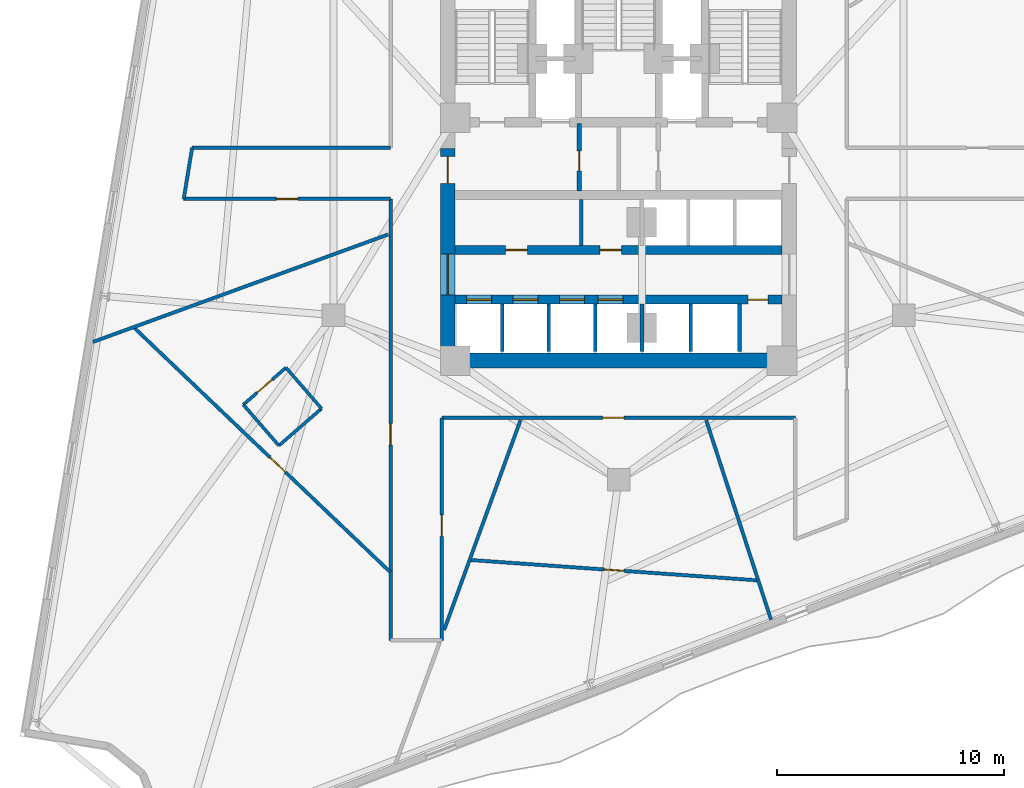
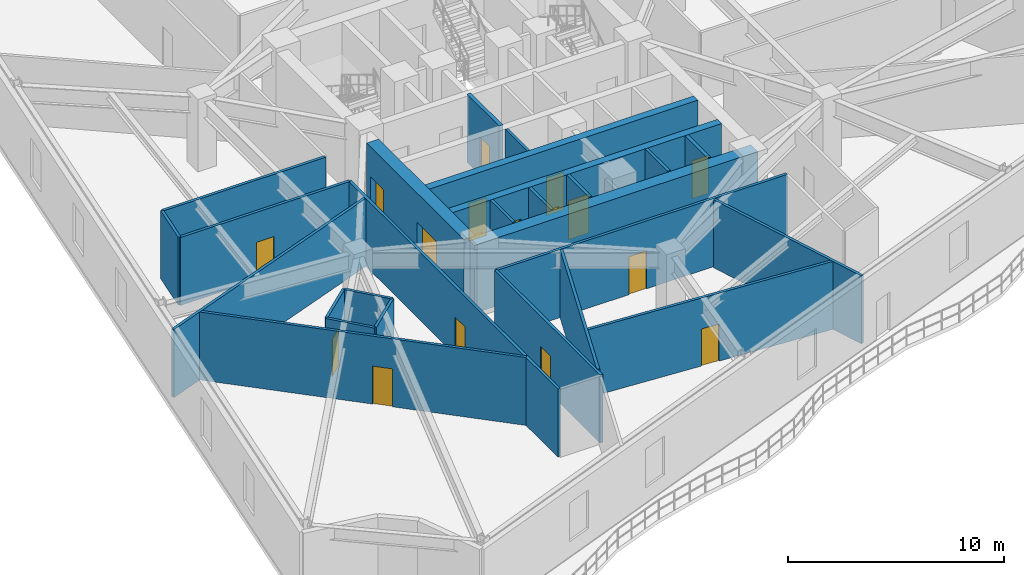
# One storey, part 4 of 10: 27 walls, 17 doors, 17 openings.
"""IFC4 building model written with IfcOpenShell, lengths in metres."""

import ifcopenshell
import ifcopenshell.guid

model = None  # the IFC model being written
_history = None  # IfcOwnerHistory: only IFC2X3 demands one
_inside = {}  # id of a spatial element -> (the spatial element, [elements in it])
_under = {}  # id of a project, library or spatial element -> (it, [spatial elements below it])
_declared = {}  # id of a project -> (the project, [libraries it declares])
_typed = {}  # id of a type object -> (the type object, [elements of that type])
_made_of = {}  # id of a material, layer set ... -> (it, [elements and type objects made of it])


def new_model(schema):
    """Start an empty IFC model of exactly this schema.

    Asked for "IFC4X3", IfcOpenShell would pick the latest addendum, in which some entities
    have other attributes; the version numbers below select the first issue.
    IFC2X3 requires an IfcOwnerHistory on every rooted entity: one is made here for all.
    """
    global model, _history
    if schema == "IFC4X3":
        model = ifcopenshell.file(schema_version=(4, 3, 0, 0))
    else:
        model = ifcopenshell.file(schema=schema)
    _inside.clear()
    _under.clear()
    _declared.clear()
    _typed.clear()
    _made_of.clear()
    _history = None
    if model.schema == "IFC2X3":
        org = make("IfcOrganization", Name="unknown")
        user = make(
            "IfcPersonAndOrganization",
            ThePerson=make("IfcPerson", FamilyName="unknown"),
            TheOrganization=org,
        )
        app = make(
            "IfcApplication",
            ApplicationDeveloper=org,
            Version="unknown",
            ApplicationFullName="unknown",
            ApplicationIdentifier="unknown",
        )
        _history = make(
            "IfcOwnerHistory",
            OwningUser=user,
            OwningApplication=app,
            ChangeAction="ADDED",
            CreationDate=0,
        )
    return model


def make(cls, **values):
    """One entity of the class cls with the attributes given. An attribute that is None is left unset."""
    return model.create_entity(
        cls, **{name: value for name, value in values.items() if value is not None}
    )


def rooted(cls, **values):
    """An entity with a GlobalId (a new one), such as an element, a storey or a relation."""
    return make(cls, GlobalId=ifcopenshell.guid.new(), OwnerHistory=_history, **values)


def si_unit(unit_type, name, prefix=None):
    """IfcSIUnit, for example si_unit("LENGTHUNIT", "METRE", prefix="MILLI")."""
    return make("IfcSIUnit", UnitType=unit_type, Prefix=prefix, Name=name)


def assignment(units):
    """IfcUnitAssignment: the units of a project."""
    return None if units is None else make("IfcUnitAssignment", Units=units)


def point(xyz):
    """IfcCartesianPoint."""
    return None if xyz is None else make("IfcCartesianPoint", Coordinates=xyz)


def direction(xyz):
    """IfcDirection."""
    return None if xyz is None else make("IfcDirection", DirectionRatios=xyz)


def frame(location, z_axis=None, x_axis=None):
    """IfcAxis2Placement3D, a coordinate frame: its origin and axes. An axis left out is left unset."""
    return make(
        "IfcAxis2Placement3D",
        Location=point(location),
        Axis=direction(z_axis),
        RefDirection=direction(x_axis),
    )


def frame_2d(location, x_axis=None):
    """IfcAxis2Placement2D, a coordinate frame in the plane: its origin and x axis."""
    return make(
        "IfcAxis2Placement2D", Location=point(location), RefDirection=direction(x_axis)
    )


def origin():
    """The frame at (0, 0, 0) with its axes left unset."""
    return frame((0.0, 0.0, 0.0))


def place(relative_to, where):
    """IfcLocalPlacement: puts the frame where relative to a parent placement (None: the world)."""
    return make(
        "IfcLocalPlacement", PlacementRelTo=relative_to, RelativePlacement=where
    )


def context(
    kind, dimensions, precision=None, world=None, true_north=None, identifier=None
):
    """IfcGeometricRepresentationContext, for example the 3D "Model" context."""
    return make(
        "IfcGeometricRepresentationContext",
        ContextIdentifier=identifier,
        ContextType=kind,
        CoordinateSpaceDimension=dimensions,
        Precision=precision,
        WorldCoordinateSystem=world,
        TrueNorth=true_north,
    )


def subcontext(parent, identifier, kind, view, scale=None):
    """IfcGeometricRepresentationSubContext, for example "Body" below "Model"."""
    return make(
        "IfcGeometricRepresentationSubContext",
        ContextIdentifier=identifier,
        ContextType=kind,
        ParentContext=parent,
        TargetScale=scale,
        TargetView=view,
    )


def project(units=None, contexts=None):
    """IfcProject with its units and contexts."""
    return rooted(
        "IfcProject",
        Name="project",
        RepresentationContexts=contexts,
        UnitsInContext=assignment(units),
    )


def spatial(cls, under=None, at=None, **own):
    """A site, building, storey or space (cls), placed at a placement, below another one or the project."""
    s = rooted(cls, ObjectPlacement=at, **own)
    if under is not None:
        _under.setdefault(under.id(), (under, []))[1].append(s)
    return s


def profile(cls, at=None, kind="AREA", **sizes):
    """A parametric profile (cls). Its sizes go by their IFC names, for example OverallWidth=200.0."""
    return make(cls, ProfileType=kind, Position=at, **sizes)


def rectangle(**sizes):
    """IfcRectangleProfileDef."""
    return profile("IfcRectangleProfileDef", **sizes)


def extrude(swept, where, along, depth):
    """IfcExtrudedAreaSolid: the profile swept, set in the frame where, extruded along a direction by depth."""
    return make(
        "IfcExtrudedAreaSolid",
        SweptArea=swept,
        Position=where,
        ExtrudedDirection=direction(along),
        Depth=depth,
    )


def shape(context_of_items, identifier, shape_type, items):
    """IfcShapeRepresentation: the items that make up one representation, for example the "Body"."""
    return make(
        "IfcShapeRepresentation",
        ContextOfItems=context_of_items,
        RepresentationIdentifier=identifier,
        RepresentationType=shape_type,
        Items=items,
    )


def material(Name=None, Category=None):
    """IfcMaterial."""
    return make("IfcMaterial", Name=Name, Category=Category)


def layer(
    of_material, thickness, ventilated=None, Name=None, Category=None, Priority=None
):
    """IfcMaterialLayer: one layer of a wall or slab, of a material (None: an air gap)."""
    return make(
        "IfcMaterialLayer",
        Material=of_material,
        LayerThickness=thickness,
        IsVentilated=ventilated,
        Name=Name,
        Category=Category,
        Priority=Priority,
    )


def layer_set(layers, Name=None):
    """IfcMaterialLayerSet."""
    return make("IfcMaterialLayerSet", MaterialLayers=layers, LayerSetName=Name)


def made_of(thing, what):
    """Note that an element or type object is made of a material, layer set ...; save() writes the relation."""
    if what is not None:
        _made_of.setdefault(what.id(), (what, []))[1].append(thing)
    return thing


def type_object(cls, material=None, **own):
    """A type object (cls), such as IfcWallType, which elements share."""
    return made_of(rooted(cls, **own), material)


def element(
    cls,
    number,
    at=None,
    inside=None,
    cuts=None,
    type_object=None,
    material=None,
    context=None,
    identifier="Body",
    shape_type=None,
    held_by="IfcProductDefinitionShape",
    body=None,
    shapes=None,
    **own,
):
    """One element of the class cls, such as IfcWall. Its Tag is "e" and its number.

    at: its placement. inside: the storey or other place that contains it. cuts: it is an
    opening in that element (IfcRelVoidsElement). A single representation is given by context,
    identifier, shape_type and body (its items); several are given by shapes. held_by: the class
    of the entity that holds the representations. save() writes the other relations.
    """
    e = rooted(cls, Tag="e%d" % number, ObjectPlacement=at, **own)
    if body is not None:
        shapes = [shape(context, identifier, shape_type, body)]
    if shapes is not None:
        e.Representation = make(held_by, Representations=shapes)
    if inside is not None:
        _inside.setdefault(inside.id(), (inside, []))[1].append(e)
    if cuts is not None:
        rooted(
            "IfcRelVoidsElement", RelatingBuildingElement=cuts, RelatedOpeningElement=e
        )
    if type_object is not None:
        _typed.setdefault(type_object.id(), (type_object, []))[1].append(e)
    return made_of(e, material)


def fill(opening, filler):
    """IfcRelFillsElement: the door or window that sits in an opening."""
    return rooted(
        "IfcRelFillsElement",
        RelatingOpeningElement=opening,
        RelatedBuildingElement=filler,
    )


def aggregate(whole, parts):
    """IfcRelAggregates: a whole, such as a stair, and the parts it consists of."""
    return rooted("IfcRelAggregates", RelatingObject=whole, RelatedObjects=parts)


def save(model, path):
    """Write the relations noted so far, then the file.

    IfcRelAggregates (storeys below a building ...), IfcRelContainedInSpatialStructure (elements
    in a storey), IfcRelDefinesByType, IfcRelAssociatesMaterial and IfcRelDeclares: one each for
    every whole, place, type object, material and project.
    """
    for whole, parts in _under.values():
        aggregate(whole, parts)
    for where, things in _inside.values():
        rooted(
            "IfcRelContainedInSpatialStructure",
            RelatedElements=things,
            RelatingStructure=where,
        )
    for kind, things in _typed.values():
        rooted("IfcRelDefinesByType", RelatedObjects=things, RelatingType=kind)
    for what, things in _made_of.values():
        rooted("IfcRelAssociatesMaterial", RelatedObjects=things, RelatingMaterial=what)
    for by, libraries in _declared.values():
        rooted("IfcRelDeclares", RelatingContext=by, RelatedDefinitions=libraries)
    model.write(path)


model = new_model("IFC4")

# Units and contexts
model_context = context("Model", 3, precision=1e-05, world=origin(), true_north=direction((0.0, 1.0)))
body_context = subcontext(model_context, "Body", "Model", "MODEL_VIEW")
ifc_project = project(units=[si_unit("LENGTHUNIT", "METRE"), si_unit("AREAUNIT", "SQUARE_METRE"), si_unit("VOLUMEUNIT", "CUBIC_METRE"), si_unit("PLANEANGLEUNIT", "RADIAN"), si_unit("MASSUNIT", "GRAM", prefix="KILO")], contexts=[model_context])

# Site, building, storey
site_placement = place(None, origin())
site = spatial("IfcSite", under=ifc_project, at=site_placement, CompositionType="ELEMENT")
building_placement = place(site_placement, origin())
building = spatial("IfcBuilding", under=site, at=building_placement, Name="Apsidion Concourse Tower", CompositionType="ELEMENT")
storey_placement = place(building_placement, frame((0.0, 0.0, 136.300048828125)))
storey = spatial("IfcBuildingStorey", under=building, at=storey_placement, Name="L31", CompositionType="ELEMENT", Elevation=136.300048828125)

# Wall, opening, door
ifc_material_1 = material(Name="Gypsum plasterboard partition")
ifc_layer_1 = layer(ifc_material_1, 0.139892578125)
ifc_layer_set_1 = layer_set([ifc_layer_1], Name="Gypsum plasterboard partition")
wall_type_1 = type_object("IfcWallType", Name="WL-INT-PAR-140", PredefinedType="PARTITIONING", material=ifc_layer_set_1)
wall_1_placement = place(storey_placement, frame((-14.6591796875, -9.562744140625, 0.0), z_axis=(0.0, 0.0, 1.0), x_axis=(-0.754746925191, -0.65601606605, 0.0)))
wall_1 = element("IfcWall", 1, at=wall_1_placement, inside=storey, type_object=wall_type_1, Name="L31 Interior Partition WL-L31-POD-OFAWC-S1", PredefinedType="PARTITIONING", context=body_context, shape_type="SweptSolid", body=[
    extrude(rectangle(XDim=2.489990234375, YDim=0.139892578125, at=frame_2d((1.2451171875, 0.0))), origin(), (0.0, 0.0, 1.0), 3.849853515625),
])
opening_1_placement = place(wall_1_placement, frame((0.804931640625, 0.0, 0.0)))
opening_1 = element("IfcOpeningElement", 2, at=opening_1_placement, cuts=wall_1, Name="Opening D-03R", PredefinedType="OPENING", context=body_context, shape_type="SweptSolid", body=[
    extrude(rectangle(XDim=0.8798828125, YDim=2.10009765625, at=frame_2d((0.43994140625, 1.050048828125))), frame((0.0, 0.080078125, 0.0), z_axis=(0.0, -1.0, 0.0), x_axis=(1.0, 0.0, 0.0)), (0.0, 0.0, 1.0), 0.159912109375),
])
ifc_material_2 = material(Name="Anodised aluminium EN AW-6063 T6", Category="aluminium")
door_type_1 = type_object("IfcDoorType", Name="DR-INT-D03R", OperationType="SINGLE_SWING_RIGHT", PredefinedType="DOOR", material=ifc_material_2)
door_1_placement = place(opening_1_placement, origin())
door_1 = element("IfcDoor", 3, at=door_1_placement, inside=storey, type_object=door_type_1, Name="L31 Office Accessible WC Door OFAWC", OperationType="SINGLE_SWING_RIGHT", OverallHeight=2.10009765625, OverallWidth=0.8798828125, PredefinedType="DOOR", context=body_context, shape_type="SweptSolid", body=[
    extrude(rectangle(XDim=0.8798828125, YDim=2.10009765625, at=frame_2d((0.43994140625, 1.050048828125))), frame((0.0, 0.02490234375, 0.0), z_axis=(0.0, -1.0, 0.0), x_axis=(1.0, 0.0, 0.0)), (0.0, 0.0, 1.0), 0.050048828125),
])
fill(opening_1, door_1)

# Walls
wall_2_placement = place(storey_placement, frame((-16.53857421875, -11.1962890625, 0.0), z_axis=(0.0, 0.0, 1.0), x_axis=(0.656100313175, -0.754673690446, 0.0)))
element("IfcWall", 4, at=wall_2_placement, inside=storey, type_object=wall_type_1, Name="L31 Interior Partition WL-L31-POD-OFAWC-S2", PredefinedType="PARTITIONING", context=body_context, shape_type="SweptSolid", body=[
    extrude(rectangle(XDim=2.39013671875, YDim=0.139892578125, at=frame_2d((1.195068359375, 0.0))), origin(), (0.0, 0.0, 1.0), 3.849853515625),
])
wall_3_placement = place(storey_placement, frame((-14.970458984375, -13.0, 0.0), z_axis=(0.0, 0.0, 1.0), x_axis=(0.754704726342, 0.6560646127, 0.0)))
element("IfcWall", 5, at=wall_3_placement, inside=storey, type_object=wall_type_1, Name="L31 Interior Partition WL-L31-POD-OFAWC-S3", PredefinedType="PARTITIONING", context=body_context, shape_type="SweptSolid", body=[
    extrude(rectangle(XDim=2.489990234375, YDim=0.139892578125, at=frame_2d((1.2451171875, 0.0))), origin(), (0.0, 0.0, 1.0), 3.849853515625),
])
wall_4_placement = place(storey_placement, frame((-13.09130859375, -11.366455078125, 0.0), z_axis=(0.0, 0.0, 1.0), x_axis=(-0.656042130404, 0.754724269608, 0.0)))
element("IfcWall", 6, at=wall_4_placement, inside=storey, type_object=wall_type_1, Name="L31 Interior Partition WL-L31-POD-OFAWC-S4", PredefinedType="PARTITIONING", context=body_context, shape_type="SweptSolid", body=[
    extrude(rectangle(XDim=2.389892578125, YDim=0.139892578125, at=frame_2d((1.19482421875, 0.0))), origin(), (0.0, 0.0, 1.0), 3.849853515625),
])
ifc_layer_2 = layer(ifc_material_1, 0.14990234375)
ifc_layer_set_2 = layer_set([ifc_layer_2], Name="Gypsum plasterboard partition")
wall_type_2 = type_object("IfcWallType", Name="WL-INT-PAR-150", PredefinedType="PARTITIONING", material=ifc_layer_set_2)
wall_5_placement = place(storey_placement, frame((-1.64990234375, -4.179931640625, 0.0), z_axis=(0.0, 0.0, 1.0), x_axis=(0.0, 1.0, 0.0)))
element("IfcWall", 7, at=wall_5_placement, inside=storey, type_object=wall_type_2, Name="L31 Interior Partition WL-L31-B1RV1", PredefinedType="PARTITIONING", context=body_context, shape_type="SweptSolid", body=[
    extrude(rectangle(XDim=2.030029296875, YDim=0.14990234375, at=frame_2d((1.01513671875, 0.0))), origin(), (0.0, 0.0, 1.0), 3.849853515625),
])
for number, where, z_axis, x_axis, name in (
    (8, (-5.125, -8.85009765625, 0.0), (0.0, 0.0, 1.0), (0.0, 1.0, 0.0), "L31 Interior Partition WL-L31-B2DIV-1"),
    (9, (-3.074951171875, -8.85009765625, 0.0), (0.0, 0.0, 1.0), (0.0, 1.0, 0.0), "L31 Interior Partition WL-L31-B2DIV-2"),
    (10, (-1.02490234375, -8.85009765625, 0.0), (0.0, 0.0, 1.0), (0.0, 1.0, 0.0), "L31 Interior Partition WL-L31-B2DIV-3"),
    (11, (3.175048828125, -8.85009765625, 0.0), (0.0, 0.0, 1.0), (0.0, 1.0, 0.0), "L31 Interior Partition WL-L31-SHDIV-1"),
):
    element("IfcWall", number, at=place(storey_placement, frame(where, z_axis=z_axis, x_axis=x_axis)), inside=storey, type_object=wall_type_2, Name=name, PredefinedType="PARTITIONING", context=body_context, shape_type="SweptSolid", body=[
        extrude(rectangle(XDim=2.080078125, YDim=0.14990234375, at=frame_2d((1.0400390625, 0.0))), origin(), (0.0, 0.0, 1.0), 3.849853515625),
    ])

# Wall, opening, door
wall_6_placement = place(storey_placement, frame((7.7900390625, -11.77490234375, 0.0), z_axis=(0.0, 0.0, 1.0), x_axis=(-1.0, 0.0, 0.0)))
wall_6 = element("IfcWall", 12, at=wall_6_placement, inside=storey, type_object=wall_type_2, Name="L31 Interior Partition WL-L31-CORR-03", PredefinedType="PARTITIONING", context=body_context, shape_type="SweptSolid", body=[
    extrude(rectangle(XDim=15.580078125, YDim=0.14990234375, at=frame_2d((7.7900390625, 0.0))), origin(), (0.0, 0.0, 1.0), 3.849853515625),
])
opening_2_placement = place(wall_6_placement, frame((7.547119140625, 0.0, 0.0)))
opening_2 = element("IfcOpeningElement", 13, at=opening_2_placement, cuts=wall_6, Name="Opening D-01L", PredefinedType="OPENING", context=body_context, shape_type="SweptSolid", body=[
    extrude(rectangle(XDim=0.949951171875, YDim=2.14990234375, at=frame_2d((0.47509765625, 1.074951171875))), frame((0.0, 0.0849609375, 0.0), z_axis=(0.0, -1.0, 0.0), x_axis=(1.0, 0.0, 0.0)), (0.0, 0.0, 1.0), 0.169921875),
])
ifc_material_3 = material(Name="Brushed stainless steel 316", Category="steel")
door_type_2 = type_object("IfcDoorType", Name="DR-INT-D01L", OperationType="SINGLE_SWING_LEFT", PredefinedType="DOOR", material=ifc_material_3)
door_2_placement = place(opening_2_placement, origin())
door_2 = element("IfcDoor", 14, at=door_2_placement, inside=storey, type_object=door_type_2, Name="L31 Corridor Entry Door 03", OperationType="SINGLE_SWING_LEFT", OverallHeight=2.14990234375, OverallWidth=0.949951171875, PredefinedType="DOOR", context=body_context, shape_type="SweptSolid", body=[
    extrude(rectangle(XDim=0.949951171875, YDim=2.14990234375, at=frame_2d((0.47509765625, 1.074951171875))), frame((0.0, 0.02490234375, 0.0), z_axis=(0.0, -1.0, 0.0), x_axis=(1.0, 0.0, 0.0)), (0.0, 0.0, 1.0), 0.050048828125),
])
fill(opening_2, door_2)

wall_7_placement = place(storey_placement, frame((-7.7900390625, -11.77490234375, 0.0), z_axis=(0.0, 0.0, 1.0), x_axis=(0.0, -1.0, 0.0)))
wall_7 = element("IfcWall", 15, at=wall_7_placement, inside=storey, type_object=wall_type_2, Name="L31 Interior Partition WL-L31-CORR-04", PredefinedType="PARTITIONING", context=body_context, shape_type="SweptSolid", body=[
    extrude(rectangle(XDim=9.80517578125, YDim=0.14990234375, at=frame_2d((4.902587890625, 0.0))), origin(), (0.0, 0.0, 1.0), 3.849853515625),
])
opening_3_placement = place(wall_7_placement, frame((4.2744140625, 0.0, 0.0)))
opening_3 = element("IfcOpeningElement", 16, at=opening_3_placement, cuts=wall_7, Name="Opening D-01R", PredefinedType="OPENING", context=body_context, shape_type="SweptSolid", body=[
    extrude(rectangle(XDim=0.949951171875, YDim=2.14990234375, at=frame_2d((0.47509765625, 1.074951171875))), frame((0.0, 0.0849609375, 0.0), z_axis=(0.0, -1.0, 0.0), x_axis=(1.0, 0.0, 0.0)), (0.0, 0.0, 1.0), 0.169921875),
])
door_type_3 = type_object("IfcDoorType", Name="DR-INT-D01R", OperationType="SINGLE_SWING_RIGHT", PredefinedType="DOOR", material=ifc_material_3)
door_3_placement = place(opening_3_placement, origin())
door_3 = element("IfcDoor", 17, at=door_3_placement, inside=storey, type_object=door_type_3, Name="L31 Corridor Entry Door 02", OperationType="SINGLE_SWING_RIGHT", OverallHeight=2.14990234375, OverallWidth=0.949951171875, PredefinedType="DOOR", context=body_context, shape_type="SweptSolid", body=[
    extrude(rectangle(XDim=0.949951171875, YDim=2.14990234375, at=frame_2d((0.47509765625, 1.074951171875))), frame((0.0, 0.02490234375, 0.0), z_axis=(0.0, -1.0, 0.0), x_axis=(1.0, 0.0, 0.0)), (0.0, 0.0, 1.0), 0.050048828125),
])
fill(opening_3, door_3)

wall_8_placement = place(storey_placement, frame((-10.050048828125, -21.580078125, 0.0), z_axis=(0.0, 0.0, 1.0), x_axis=(0.0, 1.0, 0.0)))
wall_8 = element("IfcWall", 18, at=wall_8_placement, inside=storey, type_object=wall_type_2, Name="L31 Interior Partition WL-L31-CORR-06", PredefinedType="PARTITIONING", context=body_context, shape_type="SweptSolid", body=[
    extrude(rectangle(XDim=19.4501953125, YDim=0.14990234375, at=frame_2d((9.72509765625, 0.0))), origin(), (0.0, 0.0, 1.0), 3.849853515625),
])
opening_4_placement = place(wall_8_placement, frame((8.596435546875, 0.0, 0.0)))
opening_4 = element("IfcOpeningElement", 19, at=opening_4_placement, cuts=wall_8, Name="Opening D-01L", PredefinedType="OPENING", context=body_context, shape_type="SweptSolid", body=[
    extrude(rectangle(XDim=0.949951171875, YDim=2.14990234375, at=frame_2d((0.47509765625, 1.074951171875))), frame((0.0, 0.0849609375, 0.0), z_axis=(0.0, -1.0, 0.0), x_axis=(1.0, 0.0, 0.0)), (0.0, 0.0, 1.0), 0.169921875),
])
door_4_placement = place(opening_4_placement, origin())
door_4 = element("IfcDoor", 20, at=door_4_placement, inside=storey, type_object=door_type_2, Name="L31 Corridor Entry Door 01", OperationType="SINGLE_SWING_LEFT", OverallHeight=2.14990234375, OverallWidth=0.949951171875, PredefinedType="DOOR", context=body_context, shape_type="SweptSolid", body=[
    extrude(rectangle(XDim=0.949951171875, YDim=2.14990234375, at=frame_2d((0.47509765625, 1.074951171875))), frame((0.0, 0.02490234375, 0.0), z_axis=(0.0, -1.0, 0.0), x_axis=(1.0, 0.0, 0.0)), (0.0, 0.0, 1.0), 0.050048828125),
])
fill(opening_4, door_4)

wall_9_placement = place(storey_placement, frame((-10.050048828125, -2.1298828125, 0.0), z_axis=(0.0, 0.0, 1.0), x_axis=(-1.0, 0.0, 0.0)))
wall_9 = element("IfcWall", 21, at=wall_9_placement, inside=storey, type_object=wall_type_2, Name="L31 Interior Partition WL-L31-CORR-07", PredefinedType="PARTITIONING", context=body_context, shape_type="SweptSolid", body=[
    extrude(rectangle(XDim=9.1142578125, YDim=0.14990234375, at=frame_2d((4.55712890625, 0.0))), origin(), (0.0, 0.0, 1.0), 3.849853515625),
])
opening_5_placement = place(wall_9_placement, frame((4.082275390625, 0.0, 0.0)))
opening_5 = element("IfcOpeningElement", 22, at=opening_5_placement, cuts=wall_9, Name="Opening D-01R", PredefinedType="OPENING", context=body_context, shape_type="SweptSolid", body=[
    extrude(rectangle(XDim=0.949951171875, YDim=2.14990234375, at=frame_2d((0.47509765625, 1.074951171875))), frame((0.0, 0.0849609375, 0.0), z_axis=(0.0, -1.0, 0.0), x_axis=(1.0, 0.0, 0.0)), (0.0, 0.0, 1.0), 0.169921875),
])
door_5_placement = place(opening_5_placement, origin())
door_5 = element("IfcDoor", 23, at=door_5_placement, inside=storey, type_object=door_type_3, Name="L31 Corridor Entry Door 08", OperationType="SINGLE_SWING_RIGHT", OverallHeight=2.14990234375, OverallWidth=0.949951171875, PredefinedType="DOOR", context=body_context, shape_type="SweptSolid", body=[
    extrude(rectangle(XDim=0.949951171875, YDim=2.14990234375, at=frame_2d((0.47509765625, 1.074951171875))), frame((0.0, 0.02490234375, 0.0), z_axis=(0.0, -1.0, 0.0), x_axis=(1.0, 0.0, 0.0)), (0.0, 0.0, 1.0), 0.050048828125),
])
fill(opening_5, door_5)

# Walls
wall_10_placement = place(storey_placement, frame((-19.164306640625, -2.1298828125, 0.0), z_axis=(0.0, 0.0, 1.0), x_axis=(0.161943522339, 0.986800028158, 0.0)))
element("IfcWall", 24, at=wall_10_placement, inside=storey, type_object=wall_type_2, Name="L31 Interior Partition WL-L31-CORR-08", PredefinedType="PARTITIONING", context=body_context, shape_type="SweptSolid", body=[
    extrude(rectangle(XDim=2.2900390625, YDim=0.14990234375, at=frame_2d((1.14501953125, 0.0))), origin(), (0.0, 0.0, 1.0), 3.849853515625),
])
wall_11_placement = place(storey_placement, frame((-18.79345703125, 0.1298828125, 0.0), z_axis=(0.0, 0.0, 1.0), x_axis=(1.0, 0.0, 0.0)))
element("IfcWall", 25, at=wall_11_placement, inside=storey, type_object=wall_type_2, Name="L31 Interior Partition WL-L31-CORR-09", PredefinedType="PARTITIONING", context=body_context, shape_type="SweptSolid", body=[
    extrude(rectangle(XDim=8.743408203125, YDim=0.14990234375, at=frame_2d((4.37158203125, 0.0))), origin(), (0.0, 0.0, 1.0), 3.849853515625),
])
wall_12_placement = place(storey_placement, frame((-10.155029296875, -3.696044921875, 0.0), z_axis=(0.0, 0.0, 1.0), x_axis=(-0.939688802852, -0.342030632831, 0.0)))
element("IfcWall", 26, at=wall_12_placement, inside=storey, type_object=wall_type_2, Name="L31 Interior Partition WL-L31-RAD-04-1", PredefinedType="PARTITIONING", context=body_context, shape_type="SweptSolid", body=[
    extrude(rectangle(XDim=13.8369140625, YDim=0.14990234375, at=frame_2d((6.91845703125, 0.0))), origin(), (0.0, 0.0, 1.0), 3.849853515625),
])
wall_13_placement = place(storey_placement, frame((-4.323974609375, -11.8798828125, 0.0), z_axis=(0.0, 0.0, 1.0), x_axis=(-0.34201632383, -0.93969401096, 0.0)))
element("IfcWall", 27, at=wall_13_placement, inside=storey, type_object=wall_type_2, Name="L31 Interior Partition WL-L31-RAD-05-1", PredefinedType="PARTITIONING", context=body_context, shape_type="SweptSolid", body=[
    extrude(rectangle(XDim=9.8271484375, YDim=0.14990234375, at=frame_2d((4.91357421875, 0.0))), origin(), (0.0, 0.0, 1.0), 3.849853515625),
])
wall_14_placement = place(storey_placement, frame((3.860107421875, -11.8798828125, 0.0), z_axis=(0.0, 0.0, 1.0), x_axis=(0.309013181292, -0.951057755232, 0.0)))
element("IfcWall", 28, at=wall_14_placement, inside=storey, type_object=wall_type_2, Name="L31 Interior Partition WL-L31-RAD-06-1", PredefinedType="PARTITIONING", context=body_context, shape_type="SweptSolid", body=[
    extrude(rectangle(XDim=9.23974609375, YDim=0.14990234375, at=frame_2d((4.619873046875, 0.0))), origin(), (0.0, 0.0, 1.0), 3.849853515625),
])

# Wall, opening, door
wall_15_placement = place(storey_placement, frame((-21.354736328125, -7.799072265625, 0.0), z_axis=(0.0, 0.0, 1.0), x_axis=(0.723441528471, -0.690385656632, 0.0)))
wall_15 = element("IfcWall", 29, at=wall_15_placement, inside=storey, type_object=wall_type_2, Name="L31 Interior Partition WL-L31-CHD-OFWC", PredefinedType="PARTITIONING", context=body_context, shape_type="SweptSolid", body=[
    extrude(rectangle(XDim=15.5986328125, YDim=0.14990234375, at=frame_2d((7.79931640625, 0.0))), origin(), (0.0, 0.0, 1.0), 3.849853515625),
])
opening_6_placement = place(wall_15_placement, frame((8.2744140625, 0.0, 0.0)))
opening_6 = element("IfcOpeningElement", 30, at=opening_6_placement, cuts=wall_15, Name="Opening D-04L", PredefinedType="OPENING", context=body_context, shape_type="SweptSolid", body=[
    extrude(rectangle(XDim=0.949951171875, YDim=2.14990234375, at=frame_2d((0.47509765625, 1.074951171875))), frame((0.0, 0.0849609375, 0.0), z_axis=(0.0, -1.0, 0.0), x_axis=(1.0, 0.0, 0.0)), (0.0, 0.0, 1.0), 0.169921875),
])
door_type_4 = type_object("IfcDoorType", Name="DR-INT-D04L", OperationType="SINGLE_SWING_LEFT", PredefinedType="DOOR", material=ifc_material_3)
door_6_placement = place(opening_6_placement, origin())
door_6 = element("IfcDoor", 31, at=door_6_placement, inside=storey, type_object=door_type_4, Name="L31 Suite Connecting Door OFWC", OperationType="SINGLE_SWING_LEFT", OverallHeight=2.14990234375, OverallWidth=0.949951171875, PredefinedType="DOOR", context=body_context, shape_type="SweptSolid", body=[
    extrude(rectangle(XDim=0.949951171875, YDim=2.14990234375, at=frame_2d((0.47509765625, 1.074951171875))), frame((0.0, 0.02490234375, 0.0), z_axis=(0.0, -1.0, 0.0), x_axis=(1.0, 0.0, 0.0)), (0.0, 0.0, 1.0), 0.050048828125),
])
fill(opening_6, door_6)

wall_16_placement = place(storey_placement, frame((-6.539306640625, -18.039306640625, 0.0), z_axis=(0.0, 0.0, 1.0), x_axis=(0.997491192059, -0.070790689818, 0.0)))
wall_16 = element("IfcWall", 32, at=wall_16_placement, inside=storey, type_object=wall_type_2, Name="L31 Interior Partition WL-L31-CHD-OFS02", PredefinedType="PARTITIONING", context=body_context, shape_type="SweptSolid", body=[
    extrude(rectangle(XDim=12.6982421875, YDim=0.14990234375, at=frame_2d((6.34912109375, 0.0))), origin(), (0.0, 0.0, 1.0), 3.849853515625),
])
opening_7_placement = place(wall_16_placement, frame((5.899169921875, 0.0, 0.0)))
opening_7 = element("IfcOpeningElement", 33, at=opening_7_placement, cuts=wall_16, Name="Opening D-02L", PredefinedType="OPENING", context=body_context, shape_type="SweptSolid", body=[
    extrude(rectangle(XDim=0.89990234375, YDim=2.10009765625, at=frame_2d((0.449951171875, 1.050048828125))), frame((0.0, 0.0849609375, 0.0), z_axis=(0.0, -1.0, 0.0), x_axis=(1.0, 0.0, 0.0)), (0.0, 0.0, 1.0), 0.169921875),
])
door_type_5 = type_object("IfcDoorType", Name="DR-INT-D02L", OperationType="SINGLE_SWING_LEFT", PredefinedType="DOOR", material=ifc_material_2)
door_7_placement = place(opening_7_placement, origin())
door_7 = element("IfcDoor", 34, at=door_7_placement, inside=storey, type_object=door_type_5, Name="L31 Suite Connecting Door OFS02", OperationType="SINGLE_SWING_LEFT", OverallHeight=2.10009765625, OverallWidth=0.89990234375, PredefinedType="DOOR", context=body_context, shape_type="SweptSolid", body=[
    extrude(rectangle(XDim=0.89990234375, YDim=2.10009765625, at=frame_2d((0.449951171875, 1.050048828125))), frame((0.0, 0.02490234375, 0.0), z_axis=(0.0, -1.0, 0.0), x_axis=(1.0, 0.0, 0.0)), (0.0, 0.0, 1.0), 0.050048828125),
])
fill(opening_7, door_7)

# Walls
ifc_layer_3 = layer(ifc_material_1, 0.179931640625)
ifc_layer_set_3 = layer_set([ifc_layer_3], Name="Gypsum plasterboard partition")
wall_type_3 = type_object("IfcWallType", Name="WL-INT-PAR-180", PredefinedType="PARTITIONING", material=ifc_layer_set_3)
wall_17_placement = place(storey_placement, frame((1.02490234375, -8.85009765625, 0.0), z_axis=(0.0, 0.0, 1.0), x_axis=(0.0, 1.0, 0.0)))
element("IfcWall", 35, at=wall_17_placement, inside=storey, type_object=wall_type_3, Name="L31 Interior Partition WL-L31-B2END", PredefinedType="PARTITIONING", context=body_context, shape_type="SweptSolid", body=[
    extrude(rectangle(XDim=2.080078125, YDim=0.179931640625, at=frame_2d((1.0400390625, 0.0))), origin(), (0.0, 0.0, 1.0), 2.89794921875),
])
wall_18_placement = place(storey_placement, frame((5.324951171875, -8.85009765625, 0.0), z_axis=(0.0, 0.0, 1.0), x_axis=(0.0, 1.0, 0.0)))
element("IfcWall", 36, at=wall_18_placement, inside=storey, type_object=wall_type_3, Name="L31 Interior Partition WL-L31-SHDIV-2", PredefinedType="PARTITIONING", context=body_context, shape_type="SweptSolid", body=[
    extrude(rectangle(XDim=2.080078125, YDim=0.179931640625, at=frame_2d((1.0400390625, 0.0))), origin(), (0.0, 0.0, 1.0), 3.849853515625),
])

# Wall, opening, door
ifc_layer_4 = layer(ifc_material_1, 0.199951171875)
ifc_layer_set_4 = layer_set([ifc_layer_4], Name="Gypsum plasterboard partition")
wall_type_4 = type_object("IfcWallType", Name="WL-INT-PAR-200", PredefinedType="PARTITIONING", material=ifc_layer_set_4)
wall_19_placement = place(storey_placement, frame((-1.739990234375, -1.780029296875, 0.0), z_axis=(0.0, 0.0, 1.0), x_axis=(0.0, 1.0, 0.0)))
wall_19 = element("IfcWall", 37, at=wall_19_placement, inside=storey, type_object=wall_type_4, Name="L31 Interior Partition WL-L31-FF1-E", PredefinedType="PARTITIONING", context=body_context, shape_type="SweptSolid", body=[
    extrude(rectangle(XDim=2.97998046875, YDim=0.199951171875, at=frame_2d((1.489990234375, 0.0))), origin(), (0.0, 0.0, 1.0), 3.849853515625),
])
opening_8_placement = place(wall_19_placement, frame((0.889892578125, 0.0, 0.0)))
opening_8 = element("IfcOpeningElement", 38, at=opening_8_placement, cuts=wall_19, Name="Opening D-05R", PredefinedType="OPENING", context=body_context, shape_type="SweptSolid", body=[
    extrude(rectangle(XDim=0.8798828125, YDim=2.14990234375, at=frame_2d((0.43994140625, 1.074951171875))), frame((0.0, 0.10986328125, 0.0), z_axis=(0.0, -1.0, 0.0), x_axis=(1.0, 0.0, 0.0)), (0.0, 0.0, 1.0), 0.219970703125),
])
door_type_6 = type_object("IfcDoorType", Name="DR-INT-D05R", OperationType="SINGLE_SWING_RIGHT", PredefinedType="DOOR", material=ifc_material_3)
door_8_placement = place(opening_8_placement, origin())
door_8 = element("IfcDoor", 39, at=door_8_placement, inside=storey, type_object=door_type_6, Name="L31 Core Pantry Door", OperationType="SINGLE_SWING_RIGHT", OverallHeight=2.14990234375, OverallWidth=0.8798828125, PredefinedType="DOOR", context=body_context, shape_type="SweptSolid", body=[
    extrude(rectangle(XDim=0.8798828125, YDim=2.14990234375, at=frame_2d((0.43994140625, 1.074951171875))), frame((0.0, 0.02490234375, 0.0), z_axis=(0.0, -1.0, 0.0), x_axis=(1.0, 0.0, 0.0)), (0.0, 0.0, 1.0), 0.050048828125),
])
fill(opening_8, door_8)

# Wall, openings, doors
ifc_material_4 = material(Name="Concrete C50/60", Category="concrete")
ifc_layer_5 = layer(ifc_material_4, 0.39990234375)
ifc_layer_set_5 = layer_set([ifc_layer_5], Name="Concrete C50/60")
wall_type_5 = type_object("IfcWallType", Name="WL-SH-400", PredefinedType="SHEAR", material=ifc_layer_set_5)
wall_20_placement = place(storey_placement, frame((-7.199951171875, -4.3798828125, 0.0), z_axis=(0.0, 0.0, 1.0), x_axis=(1.0, 0.0, 0.0)))
wall_20 = element("IfcWall", 40, at=wall_20_placement, inside=storey, type_object=wall_type_5, Name="L31 Central Core Shear Wall LA", PredefinedType="SHEAR", context=body_context, shape_type="SweptSolid", body=[
    extrude(rectangle(XDim=14.39990234375, YDim=0.39990234375, at=frame_2d((7.199951171875, 0.0))), origin(), (0.0, 0.0, 1.0), 3.849853515625),
])
opening_9_placement = place(wall_20_placement, frame((2.22509765625, 0.0, 0.0)))
opening_9 = element("IfcOpeningElement", 41, at=opening_9_placement, cuts=wall_20, Name="Opening D-04L", PredefinedType="OPENING", context=body_context, shape_type="SweptSolid", body=[
    extrude(rectangle(XDim=0.949951171875, YDim=2.14990234375, at=frame_2d((0.47509765625, 1.074951171875))), frame((0.0, 0.2099609375, 0.0), z_axis=(0.0, -1.0, 0.0), x_axis=(1.0, 0.0, 0.0)), (0.0, 0.0, 1.0), 0.419921875),
])
opening_10_placement = place(wall_20_placement, frame((6.375, 0.0, 0.0)))
opening_10 = element("IfcOpeningElement", 42, at=opening_10_placement, cuts=wall_20, Name="Opening D-04R", PredefinedType="OPENING", context=body_context, shape_type="SweptSolid", body=[
    extrude(rectangle(XDim=0.949951171875, YDim=2.14990234375, at=frame_2d((0.47509765625, 1.074951171875))), frame((0.0, 0.2099609375, 0.0), z_axis=(0.0, -1.0, 0.0), x_axis=(1.0, 0.0, 0.0)), (0.0, 0.0, 1.0), 0.419921875),
])
door_9_placement = place(opening_9_placement, origin())
door_9 = element("IfcDoor", 43, at=door_9_placement, inside=storey, type_object=door_type_4, Name="L31 Tenant Records Archive Room Door", OperationType="SINGLE_SWING_LEFT", OverallHeight=2.14990234375, OverallWidth=0.949951171875, PredefinedType="DOOR", context=body_context, shape_type="SweptSolid", body=[
    extrude(rectangle(XDim=0.949951171875, YDim=2.14990234375, at=frame_2d((0.47509765625, 1.074951171875))), frame((0.0, 0.02490234375, 0.0), z_axis=(0.0, -1.0, 0.0), x_axis=(1.0, 0.0, 0.0)), (0.0, 0.0, 1.0), 0.050048828125),
])
fill(opening_9, door_9)
door_type_7 = type_object("IfcDoorType", Name="DR-INT-D04R", OperationType="SINGLE_SWING_RIGHT", PredefinedType="DOOR", material=ifc_material_3)
door_10_placement = place(opening_10_placement, origin())
door_10 = element("IfcDoor", 44, at=door_10_placement, inside=storey, type_object=door_type_7, Name="L31 Core Beverage Pantry Door", OperationType="SINGLE_SWING_RIGHT", OverallHeight=2.14990234375, OverallWidth=0.949951171875, PredefinedType="DOOR", context=body_context, shape_type="SweptSolid", body=[
    extrude(rectangle(XDim=0.949951171875, YDim=2.14990234375, at=frame_2d((0.47509765625, 1.074951171875))), frame((0.0, 0.02490234375, 0.0), z_axis=(0.0, -1.0, 0.0), x_axis=(1.0, 0.0, 0.0)), (0.0, 0.0, 1.0), 0.050048828125),
])
fill(opening_10, door_10)

wall_21_placement = place(storey_placement, frame((-7.199951171875, -6.570068359375, 0.0), z_axis=(0.0, 0.0, 1.0), x_axis=(1.0, 0.0, 0.0)))
wall_21 = element("IfcWall", 45, at=wall_21_placement, inside=storey, type_object=wall_type_5, Name="L31 Central Core Shear Wall LB", PredefinedType="SHEAR", context=body_context, shape_type="SweptSolid", body=[
    extrude(rectangle(XDim=14.39990234375, YDim=0.39990234375, at=frame_2d((7.199951171875, 0.0))), origin(), (0.0, 0.0, 1.0), 3.849853515625),
])
opening_11_placement = place(wall_21_placement, frame((0.5, 0.0, 0.0)))
opening_11 = element("IfcOpeningElement", 46, at=opening_11_placement, cuts=wall_21, Name="Opening LD-P1", PredefinedType="OPENING", context=body_context, shape_type="SweptSolid", body=[
    extrude(rectangle(XDim=1.10009765625, YDim=2.199951171875, at=frame_2d((0.550048828125, 1.10009765625))), frame((0.0, 0.2099609375, 0.0), z_axis=(0.0, -1.0, 0.0), x_axis=(1.0, 0.0, 0.0)), (0.0, 0.0, 1.0), 0.419921875),
])
opening_12_placement = place(wall_21_placement, frame((2.550048828125, 0.0, 0.0)))
opening_12 = element("IfcOpeningElement", 47, at=opening_12_placement, cuts=wall_21, Name="Opening LD-P1", PredefinedType="OPENING", context=body_context, shape_type="SweptSolid", body=[
    extrude(rectangle(XDim=1.10009765625, YDim=2.199951171875, at=frame_2d((0.550048828125, 1.10009765625))), frame((0.0, 0.2099609375, 0.0), z_axis=(0.0, -1.0, 0.0), x_axis=(1.0, 0.0, 0.0)), (0.0, 0.0, 1.0), 0.419921875),
])
opening_13_placement = place(wall_21_placement, frame((4.60009765625, 0.0, 0.0)))
opening_13 = element("IfcOpeningElement", 48, at=opening_13_placement, cuts=wall_21, Name="Opening LD-P1", PredefinedType="OPENING", context=body_context, shape_type="SweptSolid", body=[
    extrude(rectangle(XDim=1.10009765625, YDim=2.199951171875, at=frame_2d((0.550048828125, 1.10009765625))), frame((0.0, 0.2099609375, 0.0), z_axis=(0.0, -1.0, 0.0), x_axis=(1.0, 0.0, 0.0)), (0.0, 0.0, 1.0), 0.419921875),
])
opening_14_placement = place(wall_21_placement, frame((6.300048828125, 0.0, 0.0)))
opening_14 = element("IfcOpeningElement", 49, at=opening_14_placement, cuts=wall_21, Name="Opening LD-P1", PredefinedType="OPENING", context=body_context, shape_type="SweptSolid", body=[
    extrude(rectangle(XDim=1.10009765625, YDim=2.199951171875, at=frame_2d((0.550048828125, 1.10009765625))), frame((0.0, 0.2099609375, 0.0), z_axis=(0.0, -1.0, 0.0), x_axis=(1.0, 0.0, 0.0)), (0.0, 0.0, 1.0), 0.419921875),
])
opening_15_placement = place(wall_21_placement, frame((12.909912109375, 0.0, 0.0)))
opening_15 = element("IfcOpeningElement", 50, at=opening_15_placement, cuts=wall_21, Name="Opening D-05L", PredefinedType="OPENING", context=body_context, shape_type="SweptSolid", body=[
    extrude(rectangle(XDim=0.8798828125, YDim=2.14990234375, at=frame_2d((0.43994140625, 1.074951171875))), frame((0.0, 0.2099609375, 0.0), z_axis=(0.0, -1.0, 0.0), x_axis=(1.0, 0.0, 0.0)), (0.0, 0.0, 1.0), 0.419921875),
])
door_type_8 = type_object("IfcDoorType", Name="DR-INT-D05L", OperationType="SINGLE_SWING_LEFT", PredefinedType="DOOR", material=ifc_material_3)
door_11_placement = place(opening_15_placement, origin())
door_11 = element("IfcDoor", 51, at=door_11_placement, inside=storey, type_object=door_type_8, Name="L31 Cleaners Store Door", OperationType="SINGLE_SWING_LEFT", OverallHeight=2.14990234375, OverallWidth=0.8798828125, PredefinedType="DOOR", context=body_context, shape_type="SweptSolid", body=[
    extrude(rectangle(XDim=0.8798828125, YDim=2.14990234375, at=frame_2d((0.43994140625, 1.074951171875))), frame((0.0, 0.02490234375, 0.0), z_axis=(0.0, -1.0, 0.0), x_axis=(1.0, 0.0, 0.0)), (0.0, 0.0, 1.0), 0.050048828125),
])
fill(opening_15, door_11)
door_type_9 = type_object("IfcDoorType", Name="DR-LD-PASS", OperationType="DOUBLE_DOOR_SLIDING", PredefinedType="DOOR", material=ifc_material_3)
door_12_placement = place(opening_11_placement, origin())
door_12 = element("IfcDoor", 52, at=door_12_placement, inside=storey, type_object=door_type_9, Name="L31 Lift Landing Door P5", OperationType="DOUBLE_DOOR_SLIDING", OverallHeight=2.199951171875, OverallWidth=1.10009765625, PredefinedType="DOOR", context=body_context, shape_type="SweptSolid", body=[
    extrude(rectangle(XDim=1.10009765625, YDim=2.199951171875, at=frame_2d((0.550048828125, 1.10009765625))), frame((0.0, 0.02490234375, 0.0), z_axis=(0.0, -1.0, 0.0), x_axis=(1.0, 0.0, 0.0)), (0.0, 0.0, 1.0), 0.050048828125),
])
fill(opening_11, door_12)
door_13_placement = place(opening_12_placement, origin())
door_13 = element("IfcDoor", 53, at=door_13_placement, inside=storey, type_object=door_type_9, Name="L31 Lift Landing Door P6", OperationType="DOUBLE_DOOR_SLIDING", OverallHeight=2.199951171875, OverallWidth=1.10009765625, PredefinedType="DOOR", context=body_context, shape_type="SweptSolid", body=[
    extrude(rectangle(XDim=1.10009765625, YDim=2.199951171875, at=frame_2d((0.550048828125, 1.10009765625))), frame((0.0, 0.02490234375, 0.0), z_axis=(0.0, -1.0, 0.0), x_axis=(1.0, 0.0, 0.0)), (0.0, 0.0, 1.0), 0.050048828125),
])
fill(opening_12, door_13)
door_14_placement = place(opening_13_placement, origin())
door_14 = element("IfcDoor", 54, at=door_14_placement, inside=storey, type_object=door_type_9, Name="L31 Lift Landing Door P7", OperationType="DOUBLE_DOOR_SLIDING", OverallHeight=2.199951171875, OverallWidth=1.10009765625, PredefinedType="DOOR", context=body_context, shape_type="SweptSolid", body=[
    extrude(rectangle(XDim=1.10009765625, YDim=2.199951171875, at=frame_2d((0.550048828125, 1.10009765625))), frame((0.0, 0.02490234375, 0.0), z_axis=(0.0, -1.0, 0.0), x_axis=(1.0, 0.0, 0.0)), (0.0, 0.0, 1.0), 0.050048828125),
])
fill(opening_13, door_14)
door_15_placement = place(opening_14_placement, origin())
door_15 = element("IfcDoor", 55, at=door_15_placement, inside=storey, type_object=door_type_9, Name="L31 Lift Landing Door P8", OperationType="DOUBLE_DOOR_SLIDING", OverallHeight=2.199951171875, OverallWidth=1.10009765625, PredefinedType="DOOR", context=body_context, shape_type="SweptSolid", body=[
    extrude(rectangle(XDim=1.10009765625, YDim=2.199951171875, at=frame_2d((0.550048828125, 1.10009765625))), frame((0.0, 0.02490234375, 0.0), z_axis=(0.0, -1.0, 0.0), x_axis=(1.0, 0.0, 0.0)), (0.0, 0.0, 1.0), 0.050048828125),
])
fill(opening_14, door_15)

ifc_layer_6 = layer(ifc_material_4, 0.64990234375)
ifc_layer_set_6 = layer_set([ifc_layer_6], Name="Concrete C50/60")
wall_type_6 = type_object("IfcWallType", Name="WL-SH-650", PredefinedType="SHEAR", material=ifc_layer_set_6)
wall_22_placement = place(storey_placement, frame((-7.52490234375, -8.925048828125, 0.0), z_axis=(0.0, 0.0, 1.0), x_axis=(0.0, 1.0, 0.0)))
wall_22 = element("IfcWall", 56, at=wall_22_placement, inside=storey, type_object=wall_type_6, Name="L31 Central Core Shear Wall WS", PredefinedType="SHEAR", context=body_context, shape_type="SweptSolid", body=[
    extrude(rectangle(XDim=9.025146484375, YDim=0.64990234375, at=frame_2d((4.5126953125, 0.0))), origin(), (0.0, 0.0, 1.0), 3.849853515625),
])
opening_16_placement = place(wall_22_placement, frame((2.56494140625, 0.0, 0.0)))
opening_16 = element("IfcOpeningElement", 57, at=opening_16_placement, cuts=wall_22, Name="Opening D-06D", PredefinedType="OPENING", context=body_context, shape_type="SweptSolid", body=[
    extrude(rectangle(XDim=1.800048828125, YDim=2.199951171875, at=frame_2d((0.89990234375, 1.10009765625))), frame((0.0, 0.3349609375, 0.0), z_axis=(0.0, -1.0, 0.0), x_axis=(1.0, 0.0, 0.0)), (0.0, 0.0, 1.0), 0.669921875),
])
opening_17_placement = place(wall_22_placement, frame((7.47509765625, 0.0, 0.0)))
opening_17 = element("IfcOpeningElement", 58, at=opening_17_placement, cuts=wall_22, Name="Opening D-FFL", PredefinedType="OPENING", context=body_context, shape_type="SweptSolid", body=[
    extrude(rectangle(XDim=1.199951171875, YDim=2.14990234375, at=frame_2d((0.60009765625, 1.074951171875))), frame((0.0, 0.3349609375, 0.0), z_axis=(0.0, -1.0, 0.0), x_axis=(1.0, 0.0, 0.0)), (0.0, 0.0, 1.0), 0.669921875),
])
door_type_10 = type_object("IfcDoorType", Name="DR-INT-D06D", OperationType="DOUBLE_DOOR_SINGLE_SWING", PredefinedType="DOOR", material=ifc_material_3)
door_16_placement = place(opening_16_placement, origin())
door_16 = element("IfcDoor", 59, at=door_16_placement, inside=storey, type_object=door_type_10, Name="L31 Passenger Lift Lobby WS Portal Door", OperationType="DOUBLE_DOOR_SINGLE_SWING", OverallHeight=2.199951171875, OverallWidth=1.800048828125, PredefinedType="DOOR", context=body_context, shape_type="SweptSolid", body=[
    extrude(rectangle(XDim=1.800048828125, YDim=2.199951171875, at=frame_2d((0.89990234375, 1.10009765625))), frame((0.0, 0.02490234375, 0.0), z_axis=(0.0, -1.0, 0.0), x_axis=(1.0, 0.0, 0.0)), (0.0, 0.0, 1.0), 0.050048828125),
])
fill(opening_16, door_16)
door_type_11 = type_object("IfcDoorType", Name="DR-INT-FFL", OperationType="SINGLE_SWING_LEFT", PredefinedType="DOOR", material=ifc_material_3)
door_17_placement = place(opening_17_placement, origin())
door_17 = element("IfcDoor", 60, at=door_17_placement, inside=storey, type_object=door_type_11, Name="L31 Firefighting Lift Lobby FF1 Door", OperationType="SINGLE_SWING_LEFT", OverallHeight=2.14990234375, OverallWidth=1.199951171875, PredefinedType="DOOR", context=body_context, shape_type="SweptSolid", body=[
    extrude(rectangle(XDim=1.199951171875, YDim=2.14990234375, at=frame_2d((0.60009765625, 1.074951171875))), frame((0.0, 0.02490234375, 0.0), z_axis=(0.0, -1.0, 0.0), x_axis=(1.0, 0.0, 0.0)), (0.0, 0.0, 1.0), 0.050048828125),
])
fill(opening_17, door_17)

# Wall
wall_23_placement = place(storey_placement, frame((-7.52490234375, -9.25, 0.0), z_axis=(0.0, 0.0, 1.0), x_axis=(1.0, 0.0, 0.0)))
element("IfcWall", 61, at=wall_23_placement, inside=storey, type_object=wall_type_6, Name="L31 Central Core Shear Wall S", PredefinedType="SHEAR", context=body_context, shape_type="SweptSolid", body=[
    extrude(rectangle(XDim=15.0498046875, YDim=0.64990234375, at=frame_2d((7.52490234375, 0.0))), origin(), (0.0, 0.0, 1.0), 3.849853515625),
])

save(model, "model.ifc")
